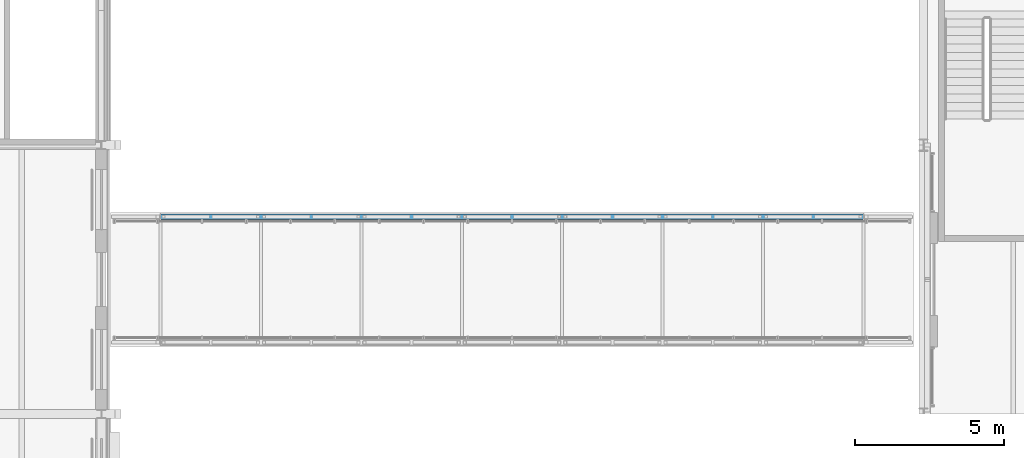
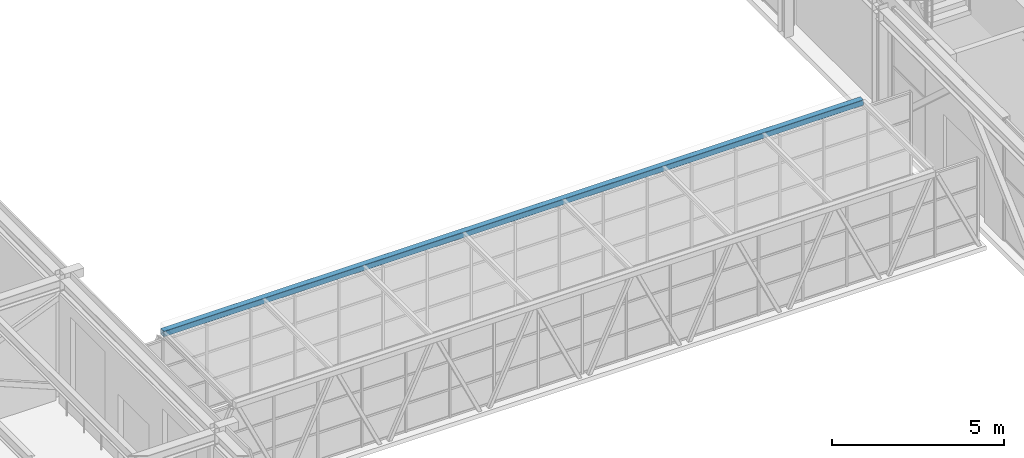
# One storey, part 35 of 149: 1 member.
"""IFC4 building model written with IfcOpenShell, lengths in metres."""

from ifc_helpers import new_model, si_unit, direction, frame, origin, origin_2d, place, context, subcontext, project, spatial, hollow_rectangle, extrude, material, material_profile, profile_set, type_object, element, save


model = new_model("IFC4")

# Units and contexts
model_context = context("Model", 3, precision=1e-05, world=origin(), true_north=direction((0.0, 1.0)))
body_context = subcontext(model_context, "Body", "Model", "MODEL_VIEW")
ifc_project = project(units=[si_unit("LENGTHUNIT", "METRE"), si_unit("AREAUNIT", "SQUARE_METRE"), si_unit("VOLUMEUNIT", "CUBIC_METRE"), si_unit("PLANEANGLEUNIT", "RADIAN"), si_unit("MASSUNIT", "GRAM", prefix="KILO")], contexts=[model_context])

# Site, building, storey
site_placement = place(None, origin())
site = spatial("IfcSite", under=ifc_project, at=site_placement, CompositionType="ELEMENT")
building_placement = place(site_placement, origin())
building = spatial("IfcBuilding", under=site, at=building_placement, Name="Kallimachos Central Library", CompositionType="ELEMENT")
storey_placement = place(building_placement, frame((0.0, 0.0, 9.89990234375)))
storey = spatial("IfcBuildingStorey", under=building, at=storey_placement, Name="L02", CompositionType="ELEMENT", Elevation=9.89990234375)

# Member
ifc_material = material(Name="Steel S355J2H", Category="steel")
ifc_material_profile = material_profile(ifc_material, hollow_rectangle(XDim=0.199951171875, YDim=0.199951171875, WallThickness=0.010009765625, InnerFilletRadius=0.010009765625, OuterFilletRadius=0.014892578125, at=origin_2d()), Name="SHS 200x200x10")
ifc_profile_set = profile_set([ifc_material_profile], Name="Steel S355J2H")
member_type = type_object("IfcMemberType", Name="SHS 200x200x10 chord", PredefinedType="CHORD", material=ifc_profile_set)
member_placement = place(storey_placement, frame((39.979736328125, 102.60009765625, 3.10009765625), z_axis=(1.0, 0.0, 0.0), x_axis=(0.0, 1.0, 0.0)))
element("IfcMember", 1, at=member_placement, inside=storey, type_object=member_type, Name="links-MEM-L02-018", PredefinedType="CHORD", context=body_context, shape_type="SweptSolid", body=[
    extrude(hollow_rectangle(XDim=0.199951171875, YDim=0.199951171875, WallThickness=0.010009765625, InnerFilletRadius=0.010009765625, OuterFilletRadius=0.014892578125, at=origin_2d()), origin(), (0.0, 0.0, 1.0), 23.515625),
])

save(model, "model.ifc")
